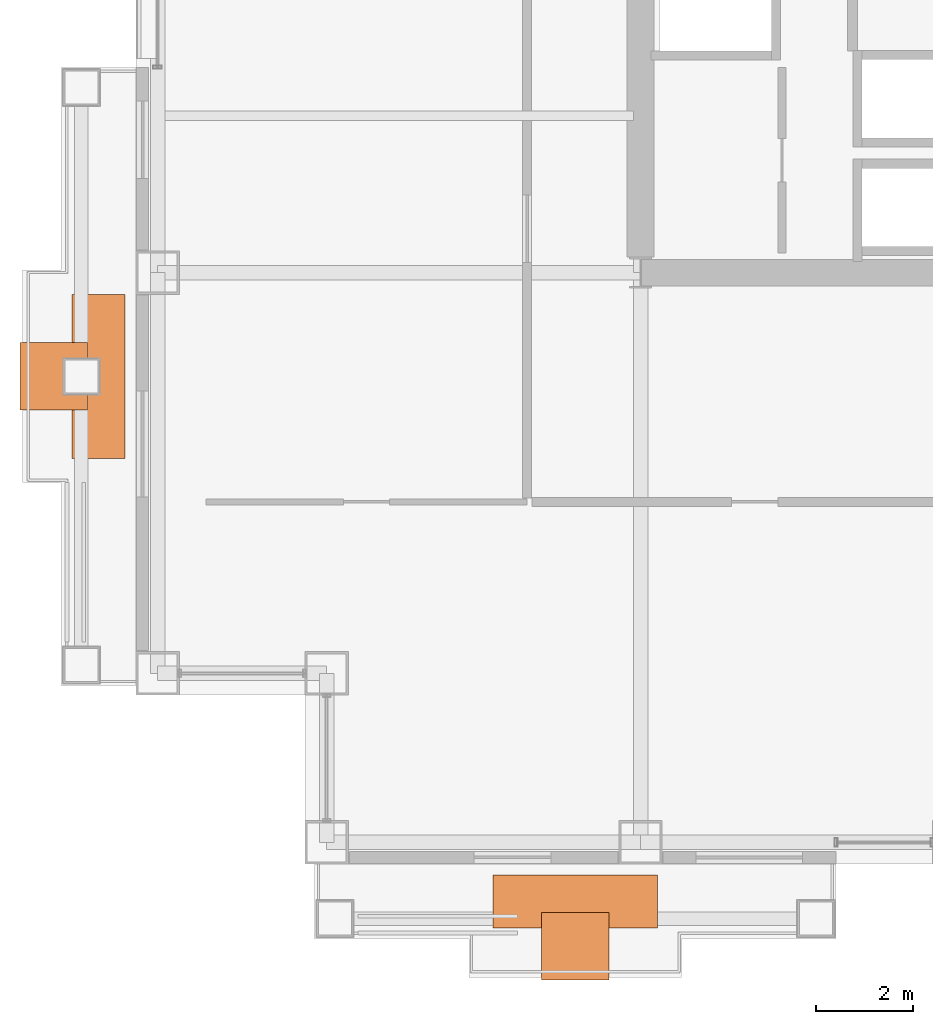
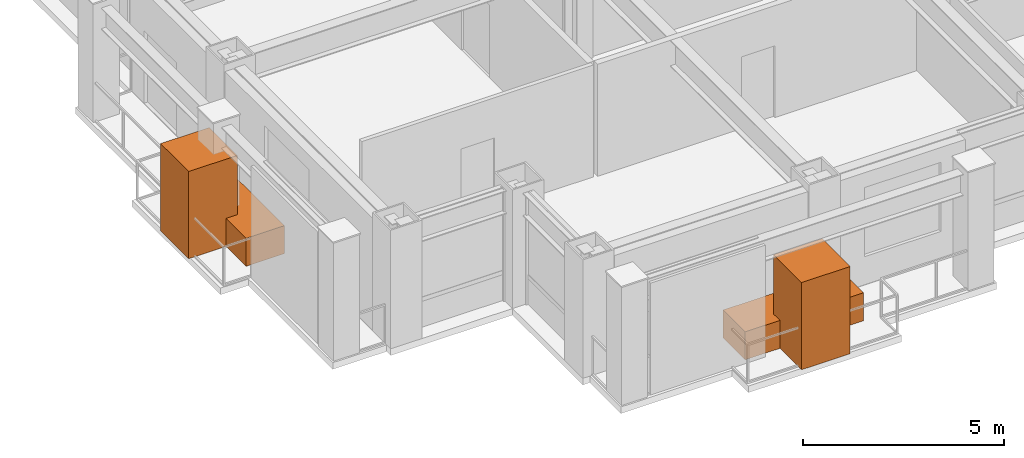
# One storey, part 30 of 30: 4 proxies.
"""IFC4 building model written with IfcOpenShell, lengths in metres."""

from ifc_helpers import new_model, si_unit, direction, frame, origin, origin_2d, place, context, subcontext, project, spatial, rectangle, extrude, material, type_object, element, save


model = new_model("IFC4")

# Units and contexts
model_context = context("Model", 3, precision=1e-05, world=origin(), true_north=direction((0.0, 1.0)))
body_context = subcontext(model_context, "Body", "Model", "MODEL_VIEW")
ifc_project = project(units=[si_unit("LENGTHUNIT", "METRE"), si_unit("AREAUNIT", "SQUARE_METRE"), si_unit("VOLUMEUNIT", "CUBIC_METRE"), si_unit("PLANEANGLEUNIT", "RADIAN"), si_unit("MASSUNIT", "GRAM", prefix="KILO")], contexts=[model_context])

# Site, building, storey
site_placement = place(None, origin())
site = spatial("IfcSite", under=ifc_project, at=site_placement, CompositionType="ELEMENT")
building_placement = place(site_placement, origin())
building = spatial("IfcBuilding", under=site, at=building_placement, Name="Brelmoor Portico Tower", CompositionType="ELEMENT")
storey_placement = place(building_placement, frame((0.0, 0.0, 56.39990234375)))
storey = spatial("IfcBuildingStorey", under=building, at=storey_placement, Name="L14", CompositionType="ELEMENT", Elevation=56.39990234375)

# Proxies
ifc_material_1 = material(Name="Planted Canopy Tree and Soil Rootball", Category="other")
building_element_proxy_type_1 = type_object("IfcBuildingElementProxyType", Name="BALCONY TREE ARBOR", PredefinedType="USERDEFINED", material=ifc_material_1)
for number, where, z_axis, x_axis, name in (
    (1, (-26.699951171875, -11.89990234375, 0.000244140625), (0.0, 0.0, 1.0), (1.0, 0.0, 0.0), "L14 Balcony PLANTER Tree Canopy Arbor W"),
    (2, (-15.89990234375, -23.699951171875, 0.000244140625), (0.0, 0.0, 1.0), (1.0, 0.0, 0.0), "L14 Balcony PLANTER Tree Canopy Arbor S"),
):
    element("IfcBuildingElementProxy", number, at=place(storey_placement, frame(where, z_axis=z_axis, x_axis=x_axis)), inside=storey, type_object=building_element_proxy_type_1, Name=name, ObjectType="PLANTER", PredefinedType="USERDEFINED", context=body_context, shape_type="SweptSolid", body=[
        extrude(rectangle(XDim=1.39990234375, YDim=1.39990234375, at=origin_2d()), origin(), (0.0, 0.0, 1.0), 2.64990234375),
    ])
ifc_material_2 = material(Name="Architectural Precast Concrete C40", Category="concrete")
building_element_proxy_type_2 = type_object("IfcBuildingElementProxyType", Name="TREE PLANTER", PredefinedType="USERDEFINED", material=ifc_material_2)
for number, where, z_axis, x_axis, name in (
    (3, (-25.77490234375, -11.89990234375, 0.0), (0.0, 0.0, 1.0), (0.0, 1.0, 0.0), "L14 Planted Tree Planter W"),
    (4, (-15.89990234375, -22.77490234375, 0.0), (0.0, 0.0, 1.0), (1.0, 0.0, 0.0), "L14 Planted Tree Planter S"),
):
    element("IfcBuildingElementProxy", number, at=place(storey_placement, frame(where, z_axis=z_axis, x_axis=x_axis)), inside=storey, type_object=building_element_proxy_type_2, Name=name, ObjectType="PLANTER", PredefinedType="USERDEFINED", context=body_context, shape_type="SweptSolid", body=[
        extrude(rectangle(XDim=3.39990234375, YDim=1.10009765625, at=origin_2d()), origin(), (0.0, 0.0, 1.0), 0.85009765625),
    ])

save(model, "model.ifc")
